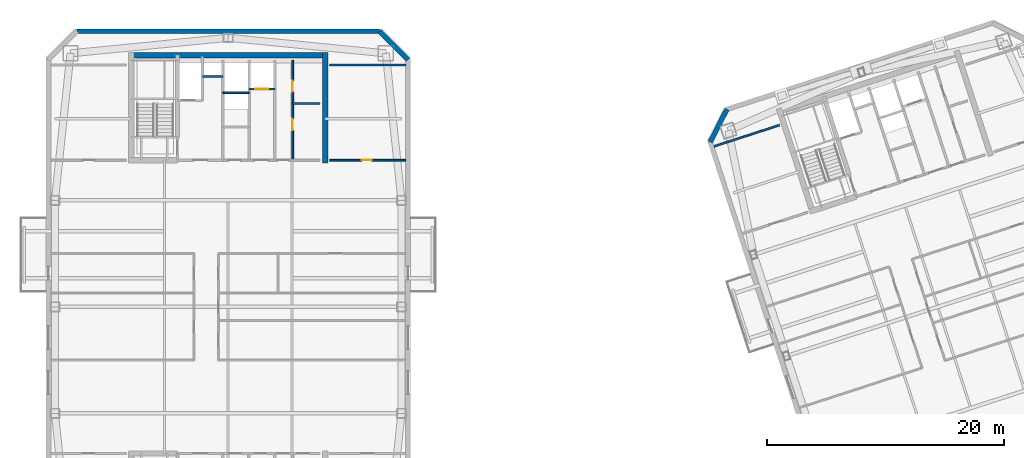
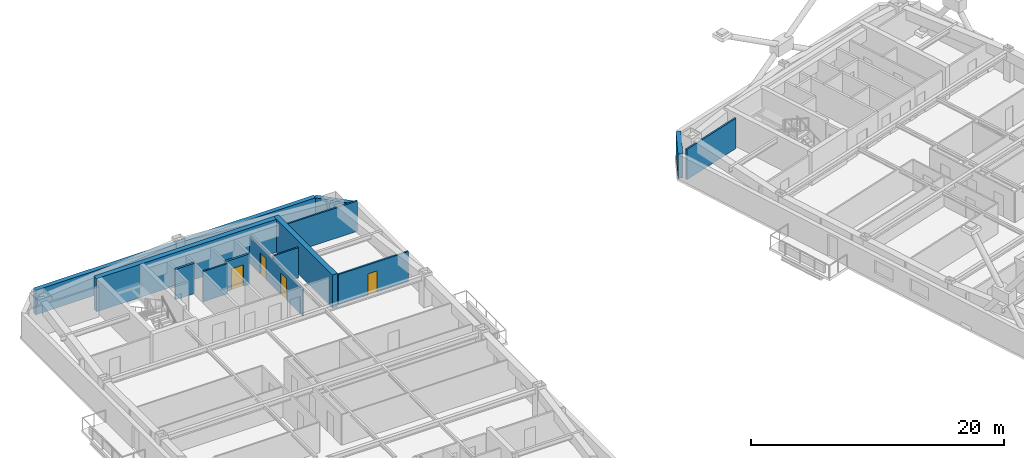
# One storey, part 8 of 16: 13 walls, 4 doors, 4 openings.
"""IFC4 building model written with IfcOpenShell, lengths in metres."""

from ifc_helpers import new_model, si_unit, direction, frame, frame_2d, origin, place, context, subcontext, project, spatial, rectangle, extrude, material, layer, layer_set, type_object, element, fill, save


model = new_model("IFC4")

# Units and contexts
model_context = context("Model", 3, precision=1e-05, world=origin(), true_north=direction((0.0, 1.0)))
body_context = subcontext(model_context, "Body", "Model", "MODEL_VIEW")
ifc_project = project(units=[si_unit("LENGTHUNIT", "METRE"), si_unit("AREAUNIT", "SQUARE_METRE"), si_unit("VOLUMEUNIT", "CUBIC_METRE"), si_unit("PLANEANGLEUNIT", "RADIAN"), si_unit("MASSUNIT", "GRAM", prefix="KILO")], contexts=[model_context])

# Site, building, storey
site_placement = place(None, origin())
site = spatial("IfcSite", under=ifc_project, at=site_placement, CompositionType="ELEMENT")
building_placement = place(site_placement, origin())
building = spatial("IfcBuilding", under=site, at=building_placement, Name="Qiaolan Cultural Towers", CompositionType="ELEMENT")
storey_placement = place(building_placement, frame((0.0, 0.0, 240.800048828125)))
storey = spatial("IfcBuildingStorey", under=building, at=storey_placement, Name="L65", CompositionType="ELEMENT", Elevation=240.800048828125)

# Walls
ifc_material_1 = material(Name="Concrete C50", Category="concrete")
ifc_layer_1 = layer(ifc_material_1, 0.449951171875)
ifc_layer_set_1 = layer_set([ifc_layer_1], Name="Concrete C50")
wall_type_1 = type_object("IfcWallType", Name="WL-CORE-450", PredefinedType="SHEAR", material=ifc_layer_set_1)
wall_1_placement = place(storey_placement, frame((21.574951171875, 55.280029296875, 0.0), z_axis=(0.0, 0.0, 1.0), x_axis=(1.0, 0.0, 0.0)))
element("IfcWall", 1, at=wall_1_placement, inside=storey, type_object=wall_type_1, Name="L65 T1-CN Outer Core Shear Wall", PredefinedType="SHEAR", context=body_context, shape_type="SweptSolid", body=[
    extrude(rectangle(XDim=16.85009765625, YDim=0.449951171875, at=frame_2d((8.425048828125, 0.0))), origin(), (0.0, 0.0, 1.0), 3.199951171875),
])
wall_2_placement = place(storey_placement, frame((38.199951171875, 46.175048828125, 0.0), z_axis=(0.0, 0.0, 1.0), x_axis=(0.0, 1.0, 0.0)))
element("IfcWall", 2, at=wall_2_placement, inside=storey, type_object=wall_type_1, Name="L65 T1-CN East Core Shear Wall", PredefinedType="SHEAR", context=body_context, shape_type="SweptSolid", body=[
    extrude(rectangle(XDim=9.329833984375, YDim=0.449951171875, at=frame_2d((4.6650390625, 0.0))), origin(), (0.0, 0.0, 1.0), 3.199951171875),
])
ifc_material_2 = material(Name="Precast Concrete C50 Honed Stone Pier", Category="masonry")
ifc_layer_2 = layer(ifc_material_2, 0.39990234375)
ifc_layer_set_2 = layer_set([ifc_layer_2], Name="Precast Concrete C50 Honed Stone Pier")
wall_type_2 = type_object("IfcWallType", Name="WL-EXT-PIER-400", PredefinedType="SOLIDWALL", material=ifc_layer_set_2)
wall_3_placement = place(storey_placement, frame((17.199951171875, 57.300048828125, 0.0), z_axis=(0.0, 0.0, 1.0), x_axis=(1.0, 0.0, 0.0)))
element("IfcWall", 3, at=wall_3_placement, inside=storey, type_object=wall_type_2, Name="L65 West Tower Precast Pier Facade Wall F3", PredefinedType="SOLIDWALL", context=body_context, shape_type="SweptSolid", body=[
    extrude(rectangle(XDim=25.60009765625, YDim=0.39990234375, at=frame_2d((12.800048828125, 0.0))), origin(), (0.0, 0.0, 1.0), 2.35986328125),
])
wall_4_placement = place(storey_placement, frame((42.800048828125, 57.300048828125, 0.0), z_axis=(0.0, 0.0, 1.0), x_axis=(0.707070815327, -0.707142745217, 0.0)))
element("IfcWall", 4, at=wall_4_placement, inside=storey, type_object=wall_type_2, Name="L65 West Tower Precast Pier Facade Wall F4", PredefinedType="SOLIDWALL", context=body_context, shape_type="SweptSolid", body=[
    extrude(rectangle(XDim=3.39404296875, YDim=0.39990234375, at=frame_2d((1.697021484375, 0.0))), origin(), (0.0, 0.0, 1.0), 2.35986328125),
])
wall_5_placement = place(storey_placement, frame((70.752197265625, 47.93408203125, 0.0), z_axis=(0.0, 0.0, 1.0), x_axis=(0.453949291228, 0.891027519774, 0.0)))
element("IfcWall", 5, at=wall_5_placement, inside=storey, type_object=wall_type_2, Name="L65 East Tower Precast Pier Facade Wall F2", PredefinedType="SOLIDWALL", context=body_context, shape_type="SweptSolid", body=[
    extrude(rectangle(XDim=3.111328125, YDim=0.39990234375, at=frame_2d((1.5556640625, 0.0))), origin(), (0.0, 0.0, 1.0), 2.35986328125),
])
ifc_material_3 = material(Name="Concrete C35 Fire Wall", Category="concrete")
ifc_layer_3 = layer(ifc_material_3, 0.199951171875)
ifc_layer_set_3 = layer_set([ifc_layer_3], Name="Concrete C35 Fire Wall")
wall_type_3 = type_object("IfcWallType", Name="WL-FIRE-200", PredefinedType="PARTITIONING", material=ifc_layer_set_3)
wall_6_placement = place(storey_placement, frame((27.820068359375, 53.47998046875, 0.0), z_axis=(0.0, 0.0, 1.0), x_axis=(1.0, 0.0, 0.0)))
element("IfcWall", 6, at=wall_6_placement, inside=storey, type_object=wall_type_3, Name="L65 T1-CN Pressurization Shaft Front Wall", PredefinedType="PARTITIONING", context=body_context, shape_type="SweptSolid", body=[
    extrude(rectangle(XDim=1.72998046875, YDim=0.199951171875, at=frame_2d((0.864990234375, 0.0))), origin(), (0.0, 0.0, 1.0), 2.925048828125),
])

# Wall, opening, door
wall_7_placement = place(storey_placement, frame((31.780029296875, 52.419921875, 0.0), z_axis=(0.0, 0.0, 1.0), x_axis=(1.0, 0.0, 0.0)))
wall_7 = element("IfcWall", 7, at=wall_7_placement, inside=storey, type_object=wall_type_3, Name="L65 T1-CN Shuttle Lift Shaft Front", PredefinedType="PARTITIONING", context=body_context, shape_type="SweptSolid", body=[
    extrude(rectangle(XDim=2.169921875, YDim=0.199951171875, at=frame_2d((1.0849609375, 0.0))), origin(), (0.0, 0.0, 1.0), 2.925048828125),
])
opening_1_placement = place(wall_7_placement, frame((0.52001953125, 0.0, 0.0)))
opening_1 = element("IfcOpeningElement", 8, at=opening_1_placement, cuts=wall_7, Name="Opening LD-01", PredefinedType="OPENING", context=body_context, shape_type="SweptSolid", body=[
    extrude(rectangle(XDim=1.10009765625, YDim=2.050048828125, at=frame_2d((0.550048828125, 1.02490234375))), frame((0.0, 0.10986328125, 0.0), z_axis=(0.0, -1.0, 0.0), x_axis=(1.0, 0.0, 0.0)), (0.0, 0.0, 1.0), 0.219970703125),
])
ifc_material_4 = material(Name="Brushed Stainless Steel S30408 Centre-Parting Lift Landing Door", Category="steel")
door_type_1 = type_object("IfcDoorType", Name="DR-LIFT-1100", OperationType="NOTDEFINED", PredefinedType="DOOR", material=ifc_material_4)
door_1_placement = place(opening_1_placement, origin())
door_1 = element("IfcDoor", 9, at=door_1_placement, inside=storey, type_object=door_type_1, Name="L65 Sky Shuttle Lift Landing Door", OperationType="DOUBLE_DOOR_SLIDING", OverallHeight=2.050048828125, OverallWidth=1.10009765625, PredefinedType="DOOR", context=body_context, shape_type="SweptSolid", body=[
    extrude(rectangle(XDim=1.10009765625, YDim=2.050048828125, at=frame_2d((0.550048828125, 1.02490234375))), frame((0.0, 0.02490234375, 0.0), z_axis=(0.0, -1.0, 0.0), x_axis=(1.0, 0.0, 0.0)), (0.0, 0.0, 1.0), 0.050048828125),
])
fill(opening_1, door_1)

# Wall
ifc_material_5 = material(Name="Autoclaved Aerated Concrete Block B06", Category="concrete")
ifc_layer_4 = layer(ifc_material_5, 0.14990234375)
ifc_layer_set_4 = layer_set([ifc_layer_4], Name="Autoclaved Aerated Concrete Block B06")
wall_type_4 = type_object("IfcWallType", Name="WL-PART-150", PredefinedType="PARTITIONING", material=ifc_layer_set_4)
wall_8_placement = place(storey_placement, frame((29.550048828125, 52.10009765625, 0.0), z_axis=(0.0, 0.0, 1.0), x_axis=(1.0, 0.0, 0.0)))
element("IfcWall", 10, at=wall_8_placement, inside=storey, type_object=wall_type_4, Name="L65 T1-CN High-Zone Reclaimed Split 2", PredefinedType="PARTITIONING", context=body_context, shape_type="SweptSolid", body=[
    extrude(rectangle(XDim=2.22998046875, YDim=0.14990234375, at=frame_2d((1.114990234375, 0.0))), origin(), (0.0, 0.0, 1.0), 2.925048828125),
])

# Wall, openings, doors
wall_9_placement = place(storey_placement, frame((35.449951171875, 46.39990234375, 0.0), z_axis=(0.0, 0.0, 1.0), x_axis=(0.0, 1.0, 0.0)))
wall_9 = element("IfcWall", 11, at=wall_9_placement, inside=storey, type_object=wall_type_4, Name="L65 T1-CN Washroom Split Wall", PredefinedType="PARTITIONING", context=body_context, shape_type="SweptSolid", body=[
    extrude(rectangle(XDim=8.43017578125, YDim=0.14990234375, at=frame_2d((4.215087890625, 0.0))), origin(), (0.0, 0.0, 1.0), 2.56494140625),
])
opening_2_placement = place(wall_9_placement, frame((2.550048828125, 0.0, 0.0)))
opening_2 = element("IfcOpeningElement", 12, at=opening_2_placement, cuts=wall_9, Name="Opening ID-05", PredefinedType="OPENING", context=body_context, shape_type="SweptSolid", body=[
    extrude(rectangle(XDim=0.949951171875, YDim=2.050048828125, at=frame_2d((0.47509765625, 1.02490234375))), frame((0.0, 0.0849609375, 0.0), z_axis=(0.0, -1.0, 0.0), x_axis=(1.0, 0.0, 0.0)), (0.0, 0.0, 1.0), 0.169921875),
])
opening_3_placement = place(wall_9_placement, frame((5.800048828125, 0.0, 0.0)))
opening_3 = element("IfcOpeningElement", 13, at=opening_3_placement, cuts=wall_9, Name="Opening ID-06", PredefinedType="OPENING", context=body_context, shape_type="SweptSolid", body=[
    extrude(rectangle(XDim=0.89990234375, YDim=2.050048828125, at=frame_2d((0.449951171875, 1.02490234375))), frame((0.0, 0.0849609375, 0.0), z_axis=(0.0, -1.0, 0.0), x_axis=(1.0, 0.0, 0.0)), (0.0, 0.0, 1.0), 0.169921875),
])
ifc_material_6 = material(Name="Fire-Rated Laminate Core Service Door", Category="timber")
door_type_2 = type_object("IfcDoorType", Name="DR-INT-900", OperationType="NOTDEFINED", PredefinedType="DOOR", material=ifc_material_6)
door_2_placement = place(opening_3_placement, origin())
door_2 = element("IfcDoor", 14, at=door_2_placement, inside=storey, type_object=door_type_2, Name="L65 First-Aid Room Door", OperationType="SINGLE_SWING_RIGHT", OverallHeight=2.050048828125, OverallWidth=0.89990234375, PredefinedType="DOOR", context=body_context, shape_type="SweptSolid", body=[
    extrude(rectangle(XDim=0.89990234375, YDim=2.050048828125, at=frame_2d((0.449951171875, 1.02490234375))), frame((0.0, 0.02490234375, 0.0), z_axis=(0.0, -1.0, 0.0), x_axis=(1.0, 0.0, 0.0)), (0.0, 0.0, 1.0), 0.050048828125),
])
fill(opening_3, door_2)
ifc_material_7 = material(Name="Fire-Rated Laminate Accessible Core Door", Category="timber")
door_type_3 = type_object("IfcDoorType", Name="DR-INT-950", OperationType="NOTDEFINED", PredefinedType="DOOR", material=ifc_material_7)
door_3_placement = place(opening_2_placement, origin())
door_3 = element("IfcDoor", 15, at=door_3_placement, inside=storey, type_object=door_type_3, Name="L65 Accessible Washroom Door", OperationType="SINGLE_SWING_LEFT", OverallHeight=2.050048828125, OverallWidth=0.949951171875, PredefinedType="DOOR", context=body_context, shape_type="SweptSolid", body=[
    extrude(rectangle(XDim=0.949951171875, YDim=2.050048828125, at=frame_2d((0.47509765625, 1.02490234375))), frame((0.0, 0.02490234375, 0.0), z_axis=(0.0, -1.0, 0.0), x_axis=(1.0, 0.0, 0.0)), (0.0, 0.0, 1.0), 0.050048828125),
])
fill(opening_2, door_3)

# Walls
wall_10_placement = place(storey_placement, frame((35.449951171875, 51.199951171875, 0.0), z_axis=(0.0, 0.0, 1.0), x_axis=(1.0, 0.0, 0.0)))
element("IfcWall", 16, at=wall_10_placement, inside=storey, type_object=wall_type_4, Name="L65 T1-CN First-Aid Wall", PredefinedType="PARTITIONING", context=body_context, shape_type="SweptSolid", body=[
    extrude(rectangle(XDim=2.300048828125, YDim=0.14990234375, at=frame_2d((1.14990234375, 0.0))), origin(), (0.0, 0.0, 1.0), 2.925048828125),
])
wall_11_placement = place(storey_placement, frame((38.60009765625, 54.449951171875, 0.0), z_axis=(0.0, 0.0, 1.0), x_axis=(1.0, 0.0, 0.0)))
element("IfcWall", 17, at=wall_11_placement, inside=storey, type_object=wall_type_4, Name="L65 T1 Flank Wall FLK-NE", PredefinedType="PARTITIONING", context=body_context, shape_type="SweptSolid", body=[
    extrude(rectangle(XDim=6.39990234375, YDim=0.14990234375, at=frame_2d((3.199951171875, 0.0))), origin(), (0.0, 0.0, 1.0), 2.925048828125),
])

# Wall, opening, door
wall_12_placement = place(storey_placement, frame((38.60009765625, 46.39990234375, 0.0), z_axis=(0.0, 0.0, 1.0), x_axis=(1.0, 0.0, 0.0)))
wall_12 = element("IfcWall", 18, at=wall_12_placement, inside=storey, type_object=wall_type_4, Name="L65 T1 Flank Front FLK-NE", PredefinedType="PARTITIONING", context=body_context, shape_type="SweptSolid", body=[
    extrude(rectangle(XDim=6.39990234375, YDim=0.14990234375, at=frame_2d((3.199951171875, 0.0))), origin(), (0.0, 0.0, 1.0), 2.925048828125),
])
opening_4_placement = place(wall_12_placement, frame((2.68798828125, 0.0, 0.0)))
opening_4 = element("IfcOpeningElement", 19, at=opening_4_placement, cuts=wall_12, Name="Opening ID-09", PredefinedType="OPENING", context=body_context, shape_type="SweptSolid", body=[
    extrude(rectangle(XDim=0.85009765625, YDim=2.050048828125, at=frame_2d((0.425048828125, 1.02490234375))), frame((0.0, 0.0849609375, 0.0), z_axis=(0.0, -1.0, 0.0), x_axis=(1.0, 0.0, 0.0)), (0.0, 0.0, 1.0), 0.169921875),
])
ifc_material_8 = material(Name="Moisture-Resistant Laminate Utility Door", Category="timber")
door_type_4 = type_object("IfcDoorType", Name="DR-INT-850", OperationType="NOTDEFINED", PredefinedType="DOOR", material=ifc_material_8)
door_4_placement = place(opening_4_placement, origin())
door_4 = element("IfcDoor", 20, at=door_4_placement, inside=storey, type_object=door_type_4, Name="L65 T1 Corner Studio Door", OperationType="SINGLE_SWING_LEFT", OverallHeight=2.050048828125, OverallWidth=0.85009765625, PredefinedType="DOOR", context=body_context, shape_type="SweptSolid", body=[
    extrude(rectangle(XDim=0.85009765625, YDim=2.050048828125, at=frame_2d((0.425048828125, 1.02490234375))), frame((0.0, 0.02490234375, 0.0), z_axis=(0.0, -1.0, 0.0), x_axis=(1.0, 0.0, 0.0)), (0.0, 0.0, 1.0), 0.050048828125),
])
fill(opening_4, door_4)

# Wall
wall_13_placement = place(storey_placement, frame((71.081298828125, 47.56787109375, 0.0), z_axis=(0.0, 0.0, 1.0), x_axis=(0.951059431056, 0.309008023519, 0.0)))
element("IfcWall", 21, at=wall_13_placement, inside=storey, type_object=wall_type_4, Name="L65 T2 Flank Wall FLK-NW", PredefinedType="PARTITIONING", context=body_context, shape_type="SweptSolid", body=[
    extrude(rectangle(XDim=5.800048828125, YDim=0.14990234375, at=frame_2d((2.89990234375, 0.0))), origin(), (0.0, 0.0, 1.0), 2.925048828125),
])

save(model, "model.ifc")
